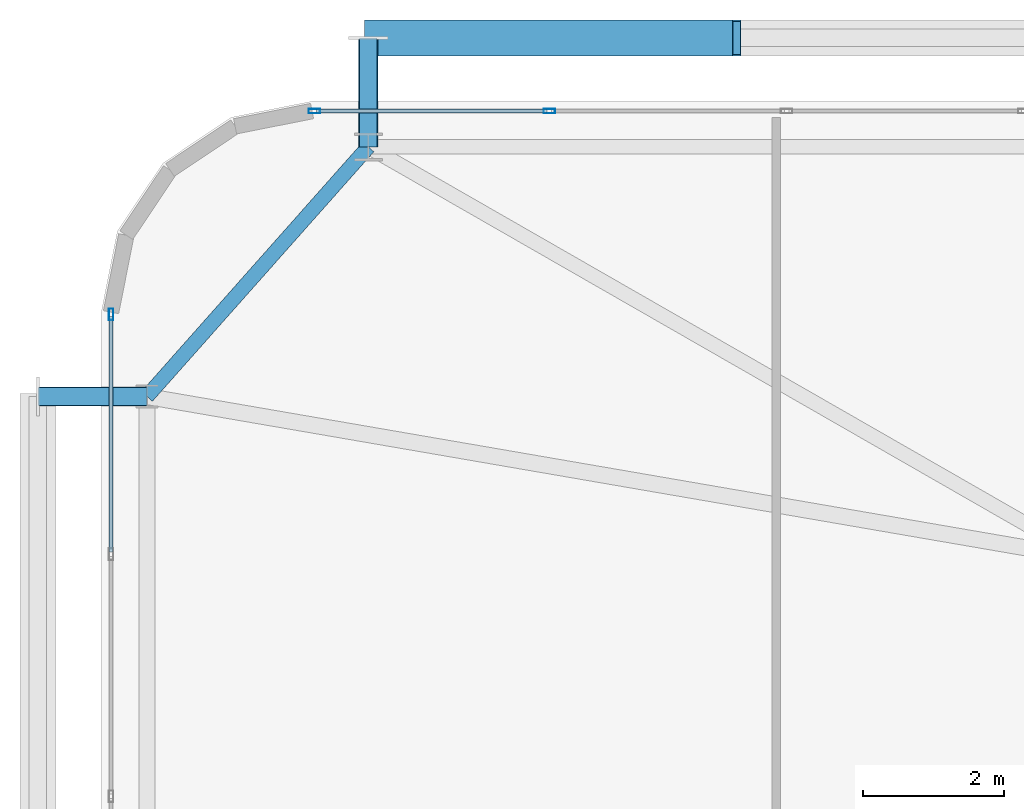
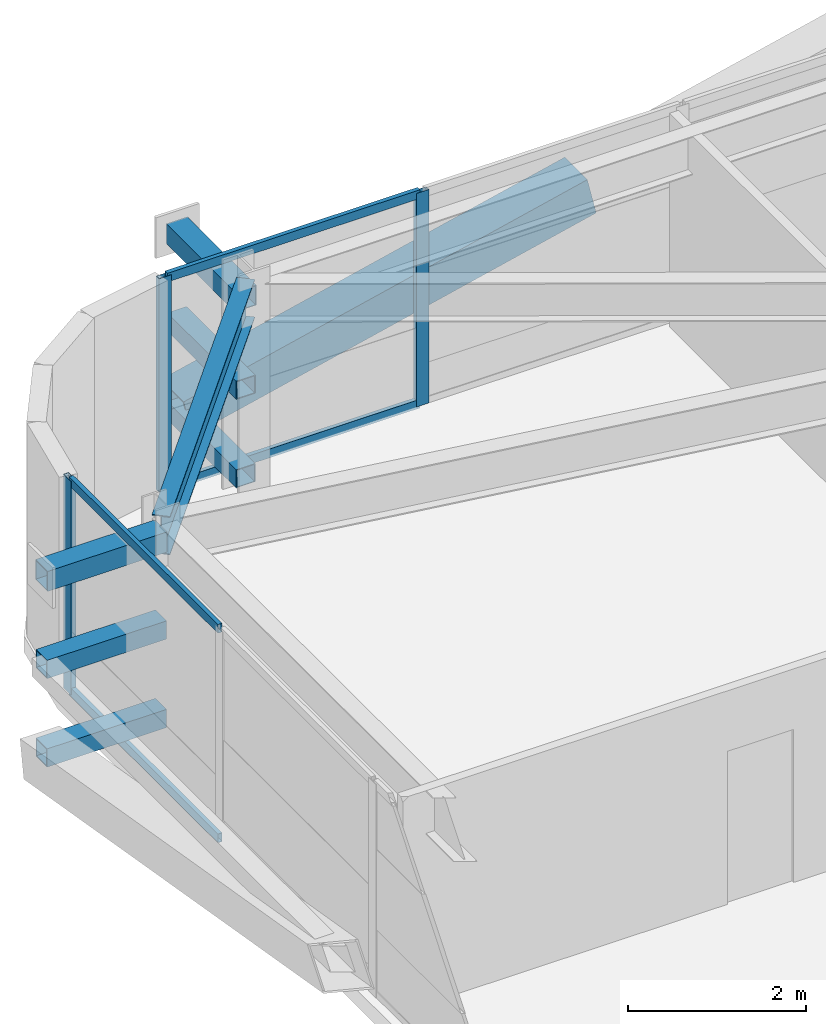
# One storey, part 33 of 58: 14 members, 1 beam, 2 elements without a shape of their own.
"""IFC4 building model written with IfcOpenShell, lengths in metres."""

from ifc_helpers import new_model, si_unit, direction, frame, origin, origin_2d, place, context, subcontext, project, spatial, hollow_rectangle, i_section, extrude, source, transform, mapped, material, layer, layer_set, material_profile, profile_set, type_object, element, aggregate, save


model = new_model("IFC4")

# Units and contexts
model_context = context("Model", 3, precision=1e-05, world=origin(), true_north=direction((0.0, 1.0)))
body_context = subcontext(model_context, "Body", "Model", "MODEL_VIEW")
ifc_project = project(units=[si_unit("LENGTHUNIT", "METRE"), si_unit("AREAUNIT", "SQUARE_METRE"), si_unit("VOLUMEUNIT", "CUBIC_METRE"), si_unit("PLANEANGLEUNIT", "RADIAN"), si_unit("MASSUNIT", "GRAM", prefix="KILO")], contexts=[model_context])

# Site, building, storey
site_placement = place(None, origin())
site = spatial("IfcSite", under=ifc_project, at=site_placement, CompositionType="ELEMENT")
building_placement = place(site_placement, origin())
building = spatial("IfcBuilding", under=site, at=building_placement, Name="Taldren Reach Tower", CompositionType="ELEMENT")
storey_placement = place(building_placement, frame((0.0, 0.0, 54.60009765625)))
storey = spatial("IfcBuildingStorey", under=building, at=storey_placement, Name="L16", CompositionType="ELEMENT", Elevation=54.60009765625)

# Beam
ifc_material_1 = material(Name="Steel Gr 350 (350PLUS)", Category="steel")
ifc_material_profile_1 = material_profile(ifc_material_1, i_section(OverallWidth=0.208984375, OverallDepth=0.528076171875, WebThickness=0.009521484375, FlangeThickness=0.01318359375, at=origin_2d()), Name="530UB82.0")
ifc_profile_set_1 = profile_set([ifc_material_profile_1], Name="Steel Gr 350 (350PLUS)")
beam_type = type_object("IfcBeamType", Name="SP-UB530B", PredefinedType="SPANDREL", material=ifc_profile_set_1)
shared_shape_1 = source(origin(), body_context, "Body", "SweptSolid", [
    extrude(i_section(OverallWidth=0.208984375, OverallDepth=0.528076171875, WebThickness=0.009521484375, FlangeThickness=0.01318359375, at=origin_2d()), origin(), (0.0, 0.0, 1.0), 4.74609375),
])
beam_placement = place(storey_placement, frame((8.800048828125, 37.85009765625, 2.666015625), z_axis=(-0.663721843779, -0.747979487747, 0.0), x_axis=(0.747979487747, -0.663721843779, 0.0)))
element("IfcBeam", 1, at=beam_placement, inside=storey, type_object=beam_type, Name="Perimeter spandrel B1 N1-W3 L16", PredefinedType="SPANDREL", context=body_context, shape_type="MappedRepresentation", body=[
    mapped(shared_shape_1, transform((0.0, 0.0, 0.0), scale=1.0)),
])

# Members
ifc_material_2 = material(Name="Steel Gr 450 (C450L0)", Category="steel")
ifc_material_profile_2 = material_profile(ifc_material_2, hollow_rectangle(XDim=0.27490234375, YDim=0.27490234375, WallThickness=0.00927734375, at=origin_2d()), Name="275x275x9.3SHS")
ifc_profile_set_2 = profile_set([ifc_material_profile_2], Name="Steel Gr 450 (C450L0)")
member_type_1 = type_object("IfcMemberType", Name="MB-TIE273", PredefinedType="STRUT", material=ifc_profile_set_2)
shared_shape_2 = source(origin(), body_context, "Body", "SweptSolid", [
    extrude(hollow_rectangle(XDim=0.27490234375, YDim=0.27490234375, WallThickness=0.00927734375, at=origin_2d()), origin(), (0.0, 0.0, 1.0), 1.5498046875),
])
for number, where, z_axis, x_axis, name in (
    (2, (8.800048828125, 37.85009765625, 2.64990234375), (0.0, 1.0, 0.0), (-1.0, 0.0, 0.0), "Exoskeleton diaphragm tie strut B1-N1 L16"),
    (3, (5.64990234375, 34.300048828125, 2.64990234375), (-1.0, 0.0, 0.0), (0.0, -1.0, 0.0), "Exoskeleton diaphragm tie strut B1-W3 L16"),
):
    element("IfcMember", number, at=place(storey_placement, frame(where, z_axis=z_axis, x_axis=x_axis)), inside=storey, type_object=member_type_1, Name=name, PredefinedType="STRUT", context=body_context, shape_type="MappedRepresentation", body=[
        mapped(shared_shape_2, transform((0.0, 0.0, 0.0), scale=1.0)),
    ])
ifc_material_profile_3 = material_profile(ifc_material_2, hollow_rectangle(XDim=0.510009765625, YDim=0.510009765625, WallThickness=0.02001953125, at=origin_2d()), Name="510x510x20.0SHS")
ifc_profile_set_3 = profile_set([ifc_material_profile_3], Name="Steel Gr 450 (C450L0)")
member_type_2 = type_object("IfcMemberType", Name="MB-EXO508", PredefinedType="BRACE", material=ifc_profile_set_3)
shared_shape_3 = source(origin(), body_context, "Body", "SweptSolid", [
    extrude(hollow_rectangle(XDim=0.510009765625, YDim=0.510009765625, WallThickness=0.02001953125, at=origin_2d()), origin(), (0.0, 0.0, 1.0), 5.37890625),
])
member_1_placement = place(storey_placement, frame((8.800048828125, 39.39990234375, 0.219970703125), z_axis=(0.974161966843, 0.0, 0.225850531007), x_axis=(0.0, 1.0, 0.0)))
element("IfcMember", 4, at=member_1_placement, inside=storey, type_object=member_type_2, Name="Exoskeleton Diagrid Brace B1-N1 L16", PredefinedType="BRACE", context=body_context, shape_type="MappedRepresentation", body=[
    mapped(shared_shape_3, transform((0.0, 0.0, 0.0), scale=1.0)),
])
ifc_material_3 = material(Name="Steel Gr 350 (C350L0)", Category="steel")
ifc_material_profile_4 = material_profile(ifc_material_3, hollow_rectangle(XDim=0.25, YDim=0.25, WallThickness=0.010009765625, at=origin_2d()), Name="250x250x10.0SHS")
ifc_profile_set_4 = profile_set([ifc_material_profile_4], Name="Steel Gr 350 (C350L0)")
member_type_3 = type_object("IfcMemberType", Name="MB-POST250", PredefinedType="POST", material=ifc_profile_set_4)
shared_shape_4 = source(origin(), body_context, "Body", "SweptSolid", [
    extrude(hollow_rectangle(XDim=0.25, YDim=0.25, WallThickness=0.010009765625, at=origin_2d()), origin(), (0.0, 0.0, 1.0), 1.5498046875),
])
for number, where, z_axis, x_axis, name in (
    (5, (8.800048828125, 37.85009765625, 0.219970703125), (0.0, 1.0, 0.0), (-1.0, 0.0, 0.0), "Exoskeleton base diaphragm tie strut B1-N1 L16"),
    (6, (5.64990234375, 34.300048828125, 0.219970703125), (-1.0, 0.0, 0.0), (0.0, -1.0, 0.0), "Exoskeleton base diaphragm tie strut B1-W3 L16"),
    (7, (8.800048828125, 37.85009765625, 1.434814453125), (0.0, 1.0, 0.0), (-1.0, 0.0, 0.0), "Exoskeleton mid-tier diaphragm tie B1-N1 L16"),
    (8, (5.64990234375, 34.300048828125, 1.434814453125), (-1.0, 0.0, 0.0), (0.0, -1.0, 0.0), "Exoskeleton mid-tier diaphragm tie B1-W3 L16"),
):
    element("IfcMember", number, at=place(storey_placement, frame(where, z_axis=z_axis, x_axis=x_axis)), inside=storey, type_object=member_type_3, Name=name, PredefinedType="POST", context=body_context, shape_type="MappedRepresentation", body=[
        mapped(shared_shape_4, transform((0.0, 0.0, 0.0), scale=1.0)),
    ])

# Curtain wall, members
ifc_material_4 = material(Name="Aluminium and Low-E Glass Unitised System", Category="aluminium")
ifc_layer = layer(ifc_material_4, 0.159912109375)
ifc_layer_set = layer_set([ifc_layer], Name="Aluminium and Low-E Glass Unitised System")
curtain_wall_type = type_object("IfcCurtainWallType", Name="CW-SYS-2", PredefinedType="NOTDEFINED", material=ifc_layer_set)
curtain_wall_1_placement = place(storey_placement, origin())
curtain_wall_1 = element("IfcCurtainWall", 9, at=curtain_wall_1_placement, inside=storey, type_object=curtain_wall_type, Name="Unitised curtain wall CW-L16-N", PredefinedType="NOTDEFINED")
ifc_material_5 = material(Name="Anodised Aluminium 6063-T6", Category="aluminium")
ifc_material_profile_5 = material_profile(ifc_material_5, hollow_rectangle(XDim=0.06494140625, YDim=0.1650390625, WallThickness=0.00390625, at=origin_2d()), Name="ALU-165x65x4RHS")
ifc_profile_set_5 = profile_set([ifc_material_profile_5], Name="Anodised Aluminium 6063-T6")
member_type_4 = type_object("IfcMemberType", Name="CW-MUL-165", PredefinedType="MULLION", material=ifc_profile_set_5)
shared_shape_5 = source(origin(), body_context, "Body", "SweptSolid", [
    extrude(hollow_rectangle(XDim=0.06494140625, YDim=0.1650390625, WallThickness=0.00390625, at=origin_2d()), origin(), (0.0, 0.0, 1.0), 2.929931640625),
])
member_2_placement = place(storey_placement, frame((11.375, 38.360107421875, 0.0), z_axis=(0.0, 0.0, 1.0), x_axis=(0.0, -1.0, 0.0)))
member_2 = element("IfcMember", 10, at=member_2_placement, type_object=member_type_4, Name="CW-2 mullion 16", PredefinedType="MULLION", context=body_context, shape_type="MappedRepresentation", body=[
    mapped(shared_shape_5, transform((0.0, 0.0, 0.0), scale=1.0)),
])
member_3_placement = place(storey_placement, frame((8.032470703125, 38.360107421875, 0.0), z_axis=(0.0, 0.0, 1.0), x_axis=(0.0, -1.0, 0.0)))
member_3 = element("IfcMember", 11, at=member_3_placement, type_object=member_type_4, Name="CW-2 mullion 17", PredefinedType="MULLION", context=body_context, shape_type="MappedRepresentation", body=[
    mapped(shared_shape_5, transform((0.0, 0.0, 0.0), scale=1.0)),
])

# Curtain wall, member
curtain_wall_2_placement = place(storey_placement, origin())
curtain_wall_2 = element("IfcCurtainWall", 12, at=curtain_wall_2_placement, inside=storey, type_object=curtain_wall_type, Name="Unitised curtain wall CW-L16-W", PredefinedType="NOTDEFINED")
member_4_placement = place(storey_placement, frame((5.139892578125, 35.467529296875, 0.0), z_axis=(0.0, 0.0, 1.0), x_axis=(1.0, 0.0, 0.0)))
member_4 = element("IfcMember", 13, at=member_4_placement, type_object=member_type_4, Name="CW-2 mullion 1", PredefinedType="MULLION", context=body_context, shape_type="MappedRepresentation", body=[
    mapped(shared_shape_5, transform((0.0, 0.0, 0.0), scale=1.0)),
])

# Member
ifc_material_profile_6 = material_profile(ifc_material_5, hollow_rectangle(XDim=0.054931640625, YDim=0.1201171875, WallThickness=0.0029296875, at=origin_2d()), Name="ALU-120x55x3RHS")
ifc_profile_set_6 = profile_set([ifc_material_profile_6], Name="Anodised Aluminium 6063-T6")
member_type_5 = type_object("IfcMemberType", Name="CW-TRN-135", PredefinedType="USERDEFINED", material=ifc_profile_set_6)
shared_shape_6 = source(origin(), body_context, "Body", "SweptSolid", [
    extrude(hollow_rectangle(XDim=0.054931640625, YDim=0.1201171875, WallThickness=0.0029296875, at=origin_2d()), origin(), (0.0, 0.0, 1.0), 3.277587890625),
])
member_5_placement = place(storey_placement, frame((11.342529296875, 38.360107421875, 0.02734375), z_axis=(-1.0, 0.0, 0.0), x_axis=(0.0, -1.0, 0.0)))
member_5 = element("IfcMember", 14, at=member_5_placement, type_object=member_type_5, Name="CW-2 transom 16.1", ObjectType="TRANSOM", PredefinedType="USERDEFINED", context=body_context, shape_type="MappedRepresentation", body=[
    mapped(shared_shape_6, transform((0.0, 0.0, 0.0), scale=1.0)),
])

member_6_placement = place(storey_placement, frame((11.342529296875, 38.360107421875, 2.90234375), z_axis=(-1.0, 0.0, 0.0), x_axis=(0.0, -1.0, 0.0)))
member_6 = element("IfcMember", 15, at=member_6_placement, type_object=member_type_5, Name="CW-2 transom 16.2", ObjectType="TRANSOM", PredefinedType="USERDEFINED", context=body_context, shape_type="MappedRepresentation", body=[
    mapped(shared_shape_6, transform((0.0, 0.0, 0.0), scale=1.0)),
])

aggregate(curtain_wall_1, [member_2, member_3, member_5, member_6])

shared_shape_7 = source(origin(), body_context, "Body", "SweptSolid", [
    extrude(hollow_rectangle(XDim=0.054931640625, YDim=0.1201171875, WallThickness=0.0029296875, at=origin_2d()), origin(), (0.0, 0.0, 1.0), 3.346923828125),
])
member_7_placement = place(storey_placement, frame((5.139892578125, 35.43505859375, 0.02734375), z_axis=(0.0, -1.0, 0.0), x_axis=(1.0, 0.0, 0.0)))
member_7 = element("IfcMember", 16, at=member_7_placement, type_object=member_type_5, Name="CW-2 transom 1.1", ObjectType="TRANSOM", PredefinedType="USERDEFINED", context=body_context, shape_type="MappedRepresentation", body=[
    mapped(shared_shape_7, transform((0.0, 0.0, 0.0), scale=1.0)),
])

member_8_placement = place(storey_placement, frame((5.139892578125, 35.43505859375, 2.90234375), z_axis=(0.0, -1.0, 0.0), x_axis=(1.0, 0.0, 0.0)))
member_8 = element("IfcMember", 17, at=member_8_placement, type_object=member_type_5, Name="CW-2 transom 1.2", ObjectType="TRANSOM", PredefinedType="USERDEFINED", context=body_context, shape_type="MappedRepresentation", body=[
    mapped(shared_shape_7, transform((0.0, 0.0, 0.0), scale=1.0)),
])

aggregate(curtain_wall_2, [member_4, member_7, member_8])

save(model, "model.ifc")
